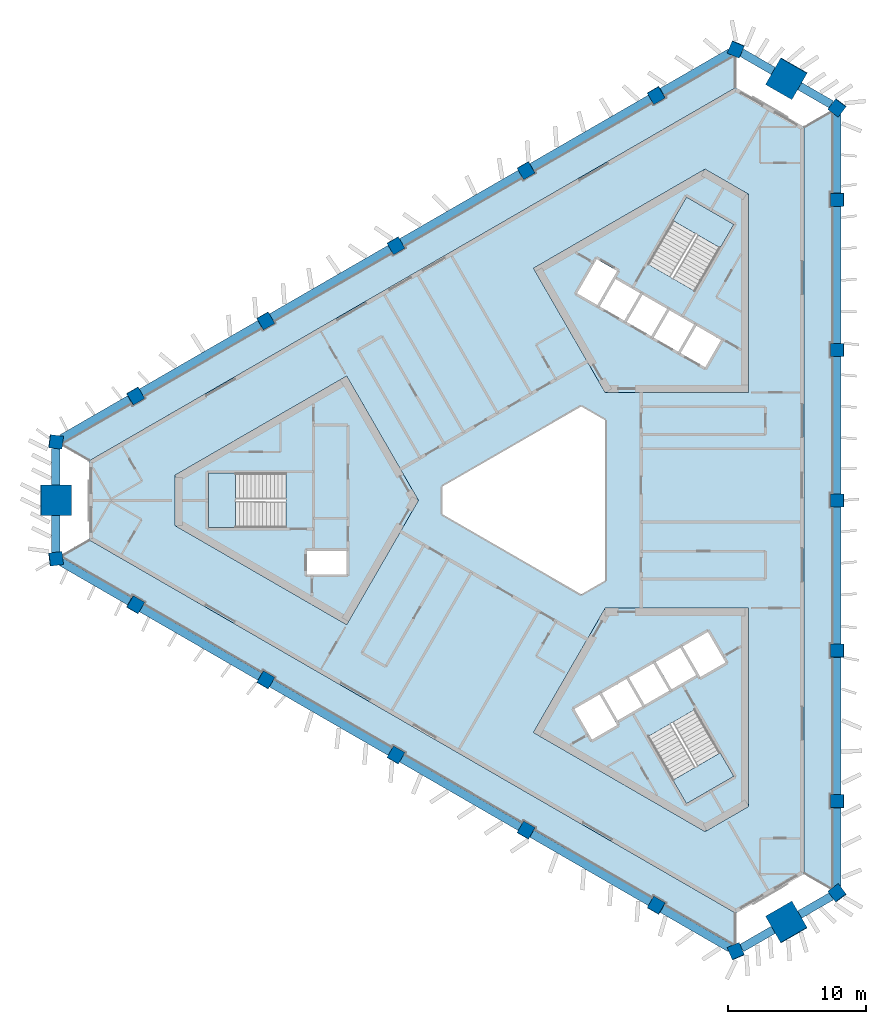
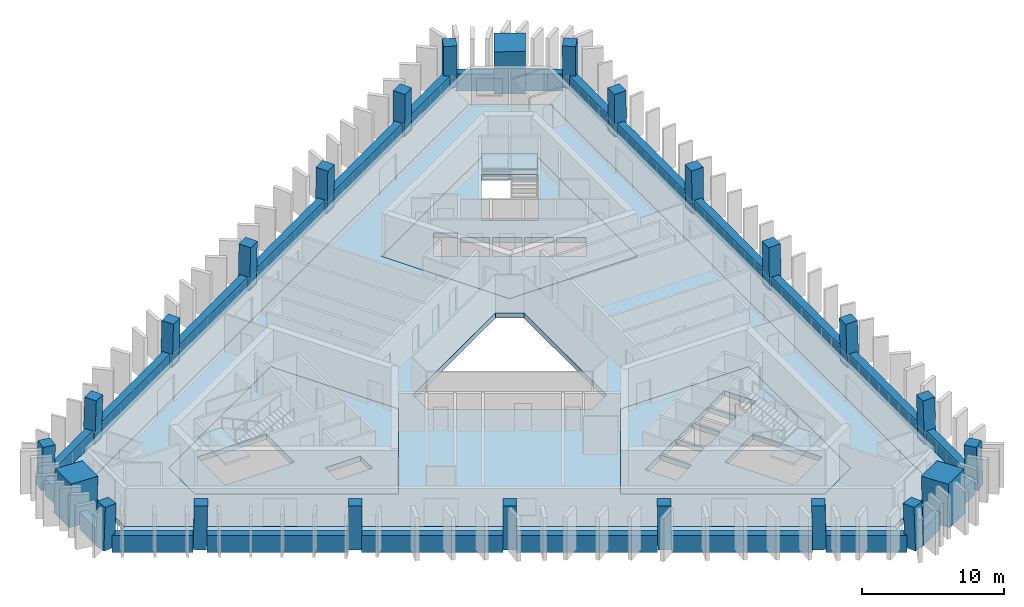
# One storey, part 1 of 10: 24 beams, 24 columns, 10 slabs, 3 elements without a shape of their own.
"""IFC4 building model written with IfcOpenShell, lengths in metres."""

from ifc_helpers import new_model, si_unit, direction, frame, origin, origin_2d, place, context, subcontext, project, spatial, polyline, rectangle, outline, extrude, material, layer, layer_set, material_profile, profile_set, type_object, element, aggregate, save


model = new_model("IFC4")

# Units and contexts
model_context = context("Model", 3, precision=1e-05, world=origin(), true_north=direction((0.0, 1.0)))
body_context = subcontext(model_context, "Body", "Model", "MODEL_VIEW")
ifc_project = project(units=[si_unit("LENGTHUNIT", "METRE"), si_unit("AREAUNIT", "SQUARE_METRE"), si_unit("VOLUMEUNIT", "CUBIC_METRE"), si_unit("PLANEANGLEUNIT", "RADIAN"), si_unit("MASSUNIT", "GRAM", prefix="KILO")], contexts=[model_context])

# Site, building, storey
site_placement = place(None, origin())
site = spatial("IfcSite", under=ifc_project, at=site_placement, CompositionType="ELEMENT")
building_placement = place(site_placement, origin())
building = spatial("IfcBuilding", under=site, at=building_placement, Name="Jabali Bay Hotel Tower and Convention Centre", CompositionType="ELEMENT")
storey_placement = place(building_placement, frame((0.0, 0.0, 167.39990234375)))
storey = spatial("IfcBuildingStorey", under=building, at=storey_placement, Name="L40", CompositionType="ELEMENT", Elevation=167.39990234375)

# Columns
ifc_material_1 = material(Name="Concrete C60", Category="concrete")
ifc_material_profile_1 = material_profile(ifc_material_1, rectangle(XDim=0.949951171875, YDim=0.949951171875, at=origin_2d()), Name="Frame column 950")
ifc_profile_set_1 = profile_set([ifc_material_profile_1], Name="Concrete C60")
column_type_1 = type_object("IfcColumnType", Name="Frame column 950", PredefinedType="COLUMN", material=ifc_profile_set_1)
column_1_placement = place(storey_placement, frame((83.197509765625, 109.30029296875, 0.0), z_axis=(-0.008375917711, -0.028095597993, 0.999570148302), x_axis=(0.86617295673, 0.49929055592, 0.021292012558)))
element("IfcColumn", 1, at=column_1_placement, inside=storey, type_object=column_type_1, Name="FC4 F1.1 L40", PredefinedType="COLUMN", context=body_context, shape_type="SweptSolid", body=[
    extrude(rectangle(XDim=0.949951171875, YDim=0.949951171875, at=origin_2d()), origin(), (0.0, 0.0, 1.0), 3.701904296875),
])
column_2_placement = place(storey_placement, frame((73.77978515625, 103.863037109375, 0.0), z_axis=(0.000857522362, -0.02282328747, 0.99973914708), x_axis=(0.866054076292, 0.499836503253, 0.010668034253)))
element("IfcColumn", 2, at=column_2_placement, inside=storey, type_object=column_type_1, Name="FC4 F1.2 L40", PredefinedType="COLUMN", context=body_context, shape_type="SweptSolid", body=[
    extrude(rectangle(XDim=0.949951171875, YDim=0.949951171875, at=origin_2d()), origin(), (0.0, 0.0, 1.0), 3.701171875),
])
column_3_placement = place(storey_placement, frame((64.362060546875, 98.425537109375, 0.0), z_axis=(0.010092954999, -0.017481261926, 0.999796248113), x_axis=(-0.499902903628, 0.86584618997, 0.020185694418)))
element("IfcColumn", 3, at=column_3_placement, inside=storey, type_object=column_type_1, Name="FC4 F1.3 L40", PredefinedType="COLUMN", context=body_context, shape_type="SweptSolid", body=[
    extrude(rectangle(XDim=0.949951171875, YDim=0.949951171875, at=origin_2d()), origin(), (0.0, 0.0, 1.0), 3.700927734375),
])
column_4_placement = place(storey_placement, frame((54.944091796875, 92.98828125, 0.0), z_axis=(0.019327242333, -0.012137244332, 0.999739538582), x_axis=(-0.500208874039, 0.865669601935, 0.020179757644)))
element("IfcColumn", 4, at=column_4_placement, inside=storey, type_object=column_type_1, Name="FC4 F1.4 L40", PredefinedType="COLUMN", context=body_context, shape_type="SweptSolid", body=[
    extrude(rectangle(XDim=0.949951171875, YDim=0.949951171875, at=origin_2d()), origin(), (0.0, 0.0, 1.0), 3.701171875),
])
for number, where, z_axis, x_axis, name in (
    (5, (45.5263671875, 87.55078125, 0.0), (0.028557232129, -0.006793059837, 0.999569076568), (-0.500407681469, 0.865554719029, 0.0201787188), "FC4 F1.5 L40"),
    (6, (45.5263671875, 72.44921875, 0.0), (0.028557232129, 0.006793059837, 0.999569076568), (-0.865318806464, 0.500768292431, 0.021318547709), "FC4 F2.1 L40"),
):
    element("IfcColumn", number, at=place(storey_placement, frame(where, z_axis=z_axis, x_axis=x_axis)), inside=storey, type_object=column_type_1, Name=name, PredefinedType="COLUMN", context=body_context, shape_type="SweptSolid", body=[
        extrude(rectangle(XDim=0.949951171875, YDim=0.949951171875, at=origin_2d()), origin(), (0.0, 0.0, 1.0), 3.701904296875),
    ])
column_5_placement = place(storey_placement, frame((54.944091796875, 67.01171875, 0.0), z_axis=(0.019327242333, 0.012137244332, 0.999739538582), x_axis=(-0.865689055052, 0.500468607992, 0.010659848856)))
element("IfcColumn", 7, at=column_5_placement, inside=storey, type_object=column_type_1, Name="FC4 F2.2 L40", PredefinedType="COLUMN", context=body_context, shape_type="SweptSolid", body=[
    extrude(rectangle(XDim=0.949951171875, YDim=0.949951171875, at=origin_2d()), origin(), (0.0, 0.0, 1.0), 3.701171875),
])
column_6_placement = place(storey_placement, frame((64.362060546875, 61.574462890625, 0.0), z_axis=(0.010092954999, 0.017481261926, 0.999796248113), x_axis=(-0.866022643586, 0.500004780773, 1.3035e-08)))
element("IfcColumn", 8, at=column_6_placement, inside=storey, type_object=column_type_1, Name="FC4 F2.3 L40", PredefinedType="COLUMN", context=body_context, shape_type="SweptSolid", body=[
    extrude(rectangle(XDim=0.949951171875, YDim=0.949951171875, at=origin_2d()), origin(), (0.0, 0.0, 1.0), 3.700927734375),
])
column_7_placement = place(storey_placement, frame((73.77978515625, 56.136962890625, 0.0), z_axis=(0.000857522362, 0.02282328747, 0.99973914708), x_axis=(-0.499949599054, -0.865819015479, 0.020194822126)))
element("IfcColumn", 9, at=column_7_placement, inside=storey, type_object=column_type_1, Name="FC4 F2.4 L40", PredefinedType="COLUMN", context=body_context, shape_type="SweptSolid", body=[
    extrude(rectangle(XDim=0.949951171875, YDim=0.949951171875, at=origin_2d()), origin(), (0.0, 0.0, 1.0), 3.701171875),
])
for number, where, z_axis, x_axis, name in (
    (10, (83.197509765625, 50.69970703125, 0.0), (-0.008375917711, 0.028095597993, 0.999570148302), (-0.499674146852, -0.865978970958, 0.020153630574), "FC4 F2.5 L40"),
    (11, (96.276123046875, 58.25048828125, 0.0), (-0.020181329236, 0.021302514194, 0.999569365697), (0.000228295571, -0.999772858975, 0.021311460273), "FC4 F0.1 L40"),
):
    element("IfcColumn", number, at=place(storey_placement, frame(where, z_axis=z_axis, x_axis=x_axis)), inside=storey, type_object=column_type_1, Name=name, PredefinedType="COLUMN", context=body_context, shape_type="SweptSolid", body=[
        extrude(rectangle(XDim=0.949951171875, YDim=0.949951171875, at=origin_2d()), origin(), (0.0, 0.0, 1.0), 3.701904296875),
    ])
column_8_placement = place(storey_placement, frame((96.276123046875, 69.125244140625, 0.0), z_axis=(-0.020184757346, 0.010686048007, 0.999739157955), x_axis=(-0.001012892672, -0.999942584695, 0.010667772075)))
element("IfcColumn", 12, at=column_8_placement, inside=storey, type_object=column_type_1, Name="FC4 F0.2 L40", PredefinedType="COLUMN", context=body_context, shape_type="SweptSolid", body=[
    extrude(rectangle(XDim=0.949951171875, YDim=0.949951171875, at=origin_2d()), origin(), (0.0, 0.0, 1.0), 3.701171875),
])
column_9_placement = place(storey_placement, frame((96.276123046875, 80.0, 0.0), z_axis=(-0.02018590991, 0.0, 0.999796243762), x_axis=(0.0, -1.0, 0.0)))
element("IfcColumn", 13, at=column_9_placement, inside=storey, type_object=column_type_1, Name="FC4 F0.3 L40", PredefinedType="COLUMN", context=body_context, shape_type="SweptSolid", body=[
    extrude(rectangle(XDim=0.949951171875, YDim=0.949951171875, at=origin_2d()), origin(), (0.0, 0.0, 1.0), 3.700927734375),
])
column_10_placement = place(storey_placement, frame((96.276123046875, 90.874755859375, 0.0), z_axis=(-0.020184757346, -0.010686048007, 0.999739157955), x_axis=(0.999795753951, 0.000797302076, 0.020194422252)))
element("IfcColumn", 14, at=column_10_placement, inside=storey, type_object=column_type_1, Name="FC4 F0.4 L40", PredefinedType="COLUMN", context=body_context, shape_type="SweptSolid", body=[
    extrude(rectangle(XDim=0.949951171875, YDim=0.949951171875, at=origin_2d()), origin(), (0.0, 0.0, 1.0), 3.701171875),
])
column_11_placement = place(storey_placement, frame((96.276123046875, 101.74951171875, 0.0), z_axis=(-0.020181329236, -0.021302514194, 0.999569365697), x_axis=(0.999796310171, -0.000658290855, 0.020171881959)))
element("IfcColumn", 15, at=column_11_placement, inside=storey, type_object=column_type_1, Name="FC4 F0.5 L40", PredefinedType="COLUMN", context=body_context, shape_type="SweptSolid", body=[
    extrude(rectangle(XDim=0.949951171875, YDim=0.949951171875, at=origin_2d()), origin(), (0.0, 0.0, 1.0), 3.701904296875),
])
for number, where, z_axis, x_axis, name in (
    (16, (96.276123046875, 51.602783203125, 0.0), (-0.020177412175, 0.029013272408, 0.999375355941), (-0.800403082065, -0.599460892038, 0.001243035721), "FC4 V0 L40"),
    (17, (96.276123046875, 108.397216796875, 0.0), (-0.020177412175, -0.029013272408, 0.999375355941), (0.599122506887, 0.799878033791, 0.035317882157), "FC4 V1 L40"),
    (18, (88.95458984375, 112.624267578125, 0.0), (-0.01503415113, -0.031980540781, 0.999375414602), (0.919381445367, -0.393365241483, 0.001242862723), "FC4 V2 L40"),
    (19, (39.769287109375, 84.22705078125, 0.0), (0.035211566633, -0.002967266851, 0.999375475436), (-0.992275672235, 0.118919620928, 0.035314501974), "FC4 V3 L40"),
    (20, (39.769287109375, 75.77294921875, 0.0), (0.035211566633, 0.002967266851, 0.999375475436), (-0.118950140254, 0.992899450642, 0.001242999447), "FC4 V4 L40"),
    (21, (88.95458984375, 47.375732421875, 0.0), (-0.01503415113, 0.031980540781, 0.999375414602), (0.393079803875, -0.918825898527, 0.035316228297), "FC4 V5 L40"),
):
    element("IfcColumn", number, at=place(storey_placement, frame(where, z_axis=z_axis, x_axis=x_axis)), inside=storey, type_object=column_type_1, Name=name, PredefinedType="COLUMN", context=body_context, shape_type="SweptSolid", body=[
        extrude(rectangle(XDim=0.949951171875, YDim=0.949951171875, at=origin_2d()), origin(), (0.0, 0.0, 1.0), 3.702392578125),
    ])
ifc_material_2 = material(Name="Concrete C70", Category="concrete")
ifc_material_profile_2 = material_profile(ifc_material_2, rectangle(XDim=2.199951171875, YDim=2.199951171875, at=origin_2d()), Name="Mega column 2200")
ifc_profile_set_2 = profile_set([ifc_material_profile_2], Name="Concrete C70")
column_type_2 = type_object("IfcColumnType", Name="Mega column 2200", PredefinedType="COLUMN", material=ifc_profile_set_2)
for number, where, z_axis, x_axis, name in (
    (22, (92.615234375, 110.5107421875, 0.0), (-0.017539922452, -0.030530015395, 0.999379942404), (0.867088366176, -0.498154358851, 2.458e-09), "MC4 M1 L40"),
    (23, (39.769287109375, 80.0, 0.0), (0.035211721647, 0.0, 0.999379875052), (0.0, 1.0, 0.0), "MC4 M0 L40"),
    (24, (92.615234375, 49.4892578125, 0.0), (-0.017539922452, 0.030530015395, 0.999379942404), (0.497845474382, -0.866550721492, 0.035209809992), "MC4 M2 L40"),
):
    element("IfcColumn", number, at=place(storey_placement, frame(where, z_axis=z_axis, x_axis=x_axis)), inside=storey, type_object=column_type_2, Name=name, PredefinedType="COLUMN", context=body_context, shape_type="SweptSolid", body=[
        extrude(rectangle(XDim=2.199951171875, YDim=2.199951171875, at=origin_2d()), origin(), (0.0, 0.0, 1.0), 3.702392578125),
    ])

# Beams
ifc_material_profile_3 = material_profile(ifc_material_1, rectangle(XDim=0.60009765625, YDim=1.449951171875, at=origin_2d()), Name="Spandrel 600x1450")
ifc_profile_set_3 = profile_set([ifc_material_profile_3], Name="Concrete C60")
beam_type = type_object("IfcBeamType", Name="Spandrel 600x1450", PredefinedType="SPANDREL", material=ifc_profile_set_3)
beam_1_placement = place(storey_placement, frame((91.656005859375, 111.04931640625, 0.375), z_axis=(-0.866018407898, 0.500012117035, 0.0), x_axis=(-0.500012117035, -0.866018407898, 0.0)))
element("IfcBeam", 25, at=beam_1_placement, inside=storey, type_object=beam_type, Name="Spandrel M1-V2 L40", PredefinedType="SPANDREL", context=body_context, shape_type="SweptSolid", body=[
    extrude(rectangle(XDim=0.60009765625, YDim=1.449951171875, at=origin_2d()), origin(), (0.0, 0.0, 1.0), 2.65087890625),
])
beam_2_placement = place(storey_placement, frame((88.53759765625, 112.374755859375, 0.375), z_axis=(-0.866026383709, -0.499998302717, 0.0), x_axis=(0.499998302717, -0.866026383709, 0.0)))
element("IfcBeam", 26, at=beam_2_placement, inside=storey, type_object=beam_type, Name="Spandrel V2-F1.1 L40", PredefinedType="SPANDREL", context=body_context, shape_type="SweptSolid", body=[
    extrude(rectangle(XDim=0.60009765625, YDim=1.449951171875, at=origin_2d()), origin(), (0.0, 0.0, 1.0), 5.69482421875),
])
for number, where, z_axis, x_axis, name in (
    (27, (82.782958984375, 109.05224609375, 0.375), (-0.866020430798, -0.500008613366, 0.0), (0.500008613366, -0.866020430798, 0.0), "Spandrel F1.1-F1.2 L40"),
    (28, (73.36865234375, 103.616943359375, 0.375), (-0.866020430798, -0.500008613366, 0.0), (0.500008613366, -0.866020430798, 0.0), "Spandrel F1.2-F1.3 L40"),
    (29, (63.954345703125, 98.181640625, 0.375), (-0.866020430798, -0.500008613366, 0.0), (0.500008613366, -0.866020430798, 0.0), "Spandrel F1.3-F1.4 L40"),
    (30, (54.5400390625, 92.74609375, 0.375), (-0.866031086928, -0.499990156378, 0.0), (0.499990156378, -0.866031086928, 0.0), "Spandrel F1.4-F1.5 L40"),
):
    element("IfcBeam", number, at=place(storey_placement, frame(where, z_axis=z_axis, x_axis=x_axis)), inside=storey, type_object=beam_type, Name=name, PredefinedType="SPANDREL", context=body_context, shape_type="SweptSolid", body=[
        extrude(rectangle(XDim=0.60009765625, YDim=1.449951171875, at=origin_2d()), origin(), (0.0, 0.0, 1.0), 9.920654296875),
    ])
beam_3_placement = place(storey_placement, frame((45.125732421875, 87.310791015625, 0.375), z_axis=(-0.866026383709, -0.499998302717, 0.0), x_axis=(0.499998302717, -0.866026383709, 0.0)))
element("IfcBeam", 31, at=beam_3_placement, inside=storey, type_object=beam_type, Name="Spandrel F1.5-V3 L40", PredefinedType="SPANDREL", context=body_context, shape_type="SweptSolid", body=[
    extrude(rectangle(XDim=0.60009765625, YDim=1.449951171875, at=origin_2d()), origin(), (0.0, 0.0, 1.0), 5.69482421875),
])
for number, where, z_axis, x_axis, name in (
    (32, (39.782470703125, 83.7509765625, 0.375), (0.0, -1.0, 0.0), (1.0, 0.0, 0.0), "Spandrel V3-M0 L40"),
    (33, (39.782470703125, 78.89990234375, 0.375), (0.0, -1.0, 0.0), (1.0, 0.0, 0.0), "Spandrel M0-V4 L40"),
):
    element("IfcBeam", number, at=place(storey_placement, frame(where, z_axis=z_axis, x_axis=x_axis)), inside=storey, type_object=beam_type, Name=name, PredefinedType="SPANDREL", context=body_context, shape_type="SweptSolid", body=[
        extrude(rectangle(XDim=0.60009765625, YDim=1.449951171875, at=origin_2d()), origin(), (0.0, 0.0, 1.0), 2.65087890625),
    ])
beam_4_placement = place(storey_placement, frame((40.19384765625, 75.53662109375, 0.375), z_axis=(0.866026383709, -0.499998302717, 0.0), x_axis=(0.499998302717, 0.866026383709, 0.0)))
element("IfcBeam", 34, at=beam_4_placement, inside=storey, type_object=beam_type, Name="Spandrel V4-F2.1 L40", PredefinedType="SPANDREL", context=body_context, shape_type="SweptSolid", body=[
    extrude(rectangle(XDim=0.60009765625, YDim=1.449951171875, at=origin_2d()), origin(), (0.0, 0.0, 1.0), 5.69482421875),
])
for number, where, z_axis, x_axis, name in (
    (35, (45.948486328125, 72.214111328125, 0.375), (0.866031086928, -0.499990156378, 0.0), (0.499990156378, 0.866031086928, 0.0), "Spandrel F2.1-F2.2 L40"),
    (36, (55.36279296875, 66.77880859375, 0.375), (0.866020430798, -0.500008613366, 0.0), (0.500008613366, 0.866020430798, 0.0), "Spandrel F2.2-F2.3 L40"),
    (37, (64.777099609375, 61.343505859375, 0.375), (0.866020430798, -0.500008613366, 0.0), (0.500008613366, 0.866020430798, 0.0), "Spandrel F2.3-F2.4 L40"),
    (38, (74.19140625, 55.908203125, 0.375), (0.866020430798, -0.500008613366, 0.0), (0.500008613366, 0.866020430798, 0.0), "Spandrel F2.4-F2.5 L40"),
):
    element("IfcBeam", number, at=place(storey_placement, frame(where, z_axis=z_axis, x_axis=x_axis)), inside=storey, type_object=beam_type, Name=name, PredefinedType="SPANDREL", context=body_context, shape_type="SweptSolid", body=[
        extrude(rectangle(XDim=0.60009765625, YDim=1.449951171875, at=origin_2d()), origin(), (0.0, 0.0, 1.0), 9.920654296875),
    ])
beam_5_placement = place(storey_placement, frame((83.605712890625, 50.47265625, 0.375), z_axis=(0.866026383709, -0.499998302717, 0.0), x_axis=(0.499998302717, 0.866026383709, 0.0)))
element("IfcBeam", 39, at=beam_5_placement, inside=storey, type_object=beam_type, Name="Spandrel F2.5-V5 L40", PredefinedType="SPANDREL", context=body_context, shape_type="SweptSolid", body=[
    extrude(rectangle(XDim=0.60009765625, YDim=1.449951171875, at=origin_2d()), origin(), (0.0, 0.0, 1.0), 5.69482421875),
])
beam_6_placement = place(storey_placement, frame((89.3603515625, 47.625244140625, 0.375), z_axis=(0.866018407898, 0.500012117035, 0.0), x_axis=(-0.500012117035, 0.866018407898, 0.0)))
element("IfcBeam", 40, at=beam_6_placement, inside=storey, type_object=beam_type, Name="Spandrel V5-M2 L40", PredefinedType="SPANDREL", context=body_context, shape_type="SweptSolid", body=[
    extrude(rectangle(XDim=0.60009765625, YDim=1.449951171875, at=origin_2d()), origin(), (0.0, 0.0, 1.0), 2.65087890625),
])
beam_7_placement = place(storey_placement, frame((93.561279296875, 50.05078125, 0.375), z_axis=(0.866041431316, 0.499972238474, 0.0), x_axis=(-0.499972238474, 0.866041431316, 0.0)))
element("IfcBeam", 41, at=beam_7_placement, inside=storey, type_object=beam_type, Name="Spandrel M2-V0 L40", PredefinedType="SPANDREL", context=body_context, shape_type="SweptSolid", body=[
    extrude(rectangle(XDim=0.60009765625, YDim=1.449951171875, at=origin_2d()), origin(), (0.0, 0.0, 1.0), 2.651123046875),
])
beam_8_placement = place(storey_placement, frame((96.2685546875, 52.088623046875, 0.375), z_axis=(0.0, 1.0, 0.0), x_axis=(-1.0, 0.0, 0.0)))
element("IfcBeam", 42, at=beam_8_placement, inside=storey, type_object=beam_type, Name="Spandrel V0-F0.1 L40", PredefinedType="SPANDREL", context=body_context, shape_type="SweptSolid", body=[
    extrude(rectangle(XDim=0.60009765625, YDim=1.449951171875, at=origin_2d()), origin(), (0.0, 0.0, 1.0), 5.69482421875),
])
for number, where, z_axis, x_axis, name in (
    (43, (96.2685546875, 58.733642578125, 0.375), (0.0, 1.0, 0.0), (-1.0, 0.0, 0.0), "Spandrel F0.1-F0.2 L40"),
    (44, (96.2685546875, 69.604248046875, 0.375), (0.0, 1.0, 0.0), (-1.0, 0.0, 0.0), "Spandrel F0.2-F0.3 L40"),
    (45, (96.2685546875, 80.47509765625, 0.375), (0.0, 1.0, 0.0), (-1.0, 0.0, 0.0), "Spandrel F0.3-F0.4 L40"),
    (46, (96.2685546875, 91.345703125, 0.375), (0.0, 1.0, 0.0), (-1.0, 0.0, 0.0), "Spandrel F0.4-F0.5 L40"),
):
    element("IfcBeam", number, at=place(storey_placement, frame(where, z_axis=z_axis, x_axis=x_axis)), inside=storey, type_object=beam_type, Name=name, PredefinedType="SPANDREL", context=body_context, shape_type="SweptSolid", body=[
        extrude(rectangle(XDim=0.60009765625, YDim=1.449951171875, at=origin_2d()), origin(), (0.0, 0.0, 1.0), 9.920654296875),
    ])
beam_9_placement = place(storey_placement, frame((96.2685546875, 102.216552734375, 0.375), z_axis=(0.0, 1.0, 0.0), x_axis=(-1.0, 0.0, 0.0)))
element("IfcBeam", 47, at=beam_9_placement, inside=storey, type_object=beam_type, Name="Spandrel F0.5-V1 L40", PredefinedType="SPANDREL", context=body_context, shape_type="SweptSolid", body=[
    extrude(rectangle(XDim=0.60009765625, YDim=1.449951171875, at=origin_2d()), origin(), (0.0, 0.0, 1.0), 5.69482421875),
])
beam_10_placement = place(storey_placement, frame((95.857177734375, 108.623779296875, 0.375), z_axis=(-0.866041431316, 0.499972238474, 0.0), x_axis=(-0.499972238474, -0.866041431316, 0.0)))
element("IfcBeam", 48, at=beam_10_placement, inside=storey, type_object=beam_type, Name="Spandrel V1-M1 L40", PredefinedType="SPANDREL", context=body_context, shape_type="SweptSolid", body=[
    extrude(rectangle(XDim=0.60009765625, YDim=1.449951171875, at=origin_2d()), origin(), (0.0, 0.0, 1.0), 2.651123046875),
])

# Slabs
ifc_material_3 = material(Name="Concrete C40", Category="concrete")
ifc_layer_1 = layer(ifc_material_3, 0.449951171875)
ifc_layer_set_1 = layer_set([ifc_layer_1], Name="Concrete C40")
slab_type_1 = type_object("IfcSlabType", Name="Core floor slab 450", PredefinedType="FLOOR", material=ifc_layer_set_1)
slab_1_placement = place(storey_placement, frame((0.0, 0.0, -0.449951171875)))
element("IfcSlab", 49, at=slab_1_placement, inside=storey, type_object=slab_type_1, Name="Core floor slab 1 L40", PredefinedType="FLOOR", context=body_context, shape_type="SweptSolid", body=[
    extrude(outline(polyline([(66.0, 80.0), (60.81005859375, 88.9892578125), (48.39697265625, 81.82275390625), (48.39697265625, 78.17724609375), (60.81005859375, 71.0107421875), (66.0, 80.0)]), holes=[polyline([(60.800048828125, 76.35009765625), (57.949951171875, 76.35009765625), (57.949951171875, 74.64990234375), (60.800048828125, 74.64990234375), (60.800048828125, 76.35009765625)]), polyline([(50.820068359375, 81.97509765625), (50.820068359375, 78.02490234375), (56.409912109375, 78.02490234375), (56.409912109375, 81.97509765625), (50.820068359375, 81.97509765625)])]), origin(), (0.0, 0.0, 1.0), 0.449951171875),
])
slab_2_placement = place(storey_placement, frame((0.0, 0.0, -0.449951171875)))
element("IfcSlab", 50, at=slab_2_placement, inside=storey, type_object=slab_type_1, Name="Core floor slab 2 L40", PredefinedType="FLOOR", context=body_context, shape_type="SweptSolid", body=[
    extrude(outline(polyline([(79.5, 87.794189453125), (89.8798828125, 87.794189453125), (89.8798828125, 102.127685546875), (86.72314453125, 103.9501953125), (74.31005859375, 96.78369140625), (79.5, 87.794189453125)]), holes=[polyline([(84.957763671875, 90.6474609375), (86.733154296875, 89.62255859375), (87.873291015625, 91.59716796875), (86.097900390625, 92.6220703125), (84.957763671875, 90.6474609375)]), polyline([(84.1494140625, 93.7470703125), (83.00927734375, 91.7724609375), (84.78466796875, 90.74755859375), (85.924560546875, 92.72216796875), (84.1494140625, 93.7470703125)]), polyline([(82.20068359375, 94.8720703125), (81.060791015625, 92.8974609375), (82.836181640625, 91.87255859375), (83.97607421875, 93.84716796875), (82.20068359375, 94.8720703125)]), polyline([(79.1123046875, 94.0224609375), (80.887451171875, 92.99755859375), (82.027587890625, 94.97216796875), (80.252197265625, 95.9970703125), (79.1123046875, 94.0224609375)]), polyline([(78.891845703125, 97.440673828125), (77.466796875, 94.97265625), (78.93896484375, 94.12255859375), (80.364013671875, 96.5908203125), (78.891845703125, 97.440673828125)]), polyline([(82.584716796875, 97.0869140625), (86.00537109375, 95.11181640625), (88.80029296875, 99.952880859375), (85.379638671875, 101.927978515625), (82.584716796875, 97.0869140625)])]), origin(), (0.0, 0.0, 1.0), 0.449951171875),
])
slab_3_placement = place(storey_placement, frame((0.0, 0.0, -0.449951171875)))
element("IfcSlab", 51, at=slab_3_placement, inside=storey, type_object=slab_type_1, Name="Core floor slab 3 L40", PredefinedType="FLOOR", context=body_context, shape_type="SweptSolid", body=[
    extrude(outline(polyline([(79.5, 72.205810546875), (74.31005859375, 63.21630859375), (86.72314453125, 56.0498046875), (89.8798828125, 57.872314453125), (89.8798828125, 72.205810546875), (79.5, 72.205810546875)]), holes=[polyline([(82.584716796875, 62.9130859375), (85.379638671875, 58.072021484375), (88.80029296875, 60.047119140625), (86.00537109375, 64.88818359375), (82.584716796875, 62.9130859375)]), polyline([(80.365478515625, 63.756591796875), (79.090576171875, 65.96484375), (77.27197265625, 64.9150390625), (78.546875, 62.70654296875), (80.365478515625, 63.756591796875)]), polyline([(82.17919921875, 65.115478515625), (81.0390625, 67.08984375), (79.263671875, 66.06494140625), (80.40380859375, 64.09033203125), (82.17919921875, 65.115478515625)]), polyline([(82.98779296875, 68.21484375), (81.21240234375, 67.18994140625), (82.352294921875, 65.21533203125), (84.127685546875, 66.240478515625), (82.98779296875, 68.21484375)]), polyline([(86.076171875, 67.365478515625), (84.936279296875, 69.33984375), (83.160888671875, 68.31494140625), (84.30078125, 66.34033203125), (86.076171875, 67.365478515625)]), polyline([(88.203125, 68.281494140625), (86.927978515625, 70.489990234375), (85.109375, 69.43994140625), (86.384521484375, 67.231689453125), (88.203125, 68.281494140625)])]), origin(), (0.0, 0.0, 1.0), 0.449951171875),
])
ifc_layer_2 = layer(ifc_material_3, 0.199951171875)
ifc_layer_set_2 = layer_set([ifc_layer_2], Name="Concrete C40")
slab_type_2 = type_object("IfcSlabType", Name="Loggia slab 200", PredefinedType="FLOOR", material=ifc_layer_set_2)
slab_4_placement = place(storey_placement, frame((0.0, 0.0, -0.199951171875)))
element("IfcSlab", 52, at=slab_4_placement, inside=storey, type_object=slab_type_2, Name="Loggia slab east face L40", PredefinedType="FLOOR", context=body_context, shape_type="SweptSolid", body=[
    extrude(outline(polyline([(93.8759765625, 107.011474609375), (95.82861328125, 108.138916015625), (95.97607421875, 108.0283203125), (95.97607421875, 102.224365234375), (95.801025390625, 102.224365234375), (95.801025390625, 101.2744140625), (95.97607421875, 101.2744140625), (95.97607421875, 91.349609375), (95.801025390625, 91.349609375), (95.801025390625, 90.399658203125), (95.97607421875, 90.399658203125), (95.97607421875, 80.47509765625), (95.801025390625, 80.47509765625), (95.801025390625, 79.52490234375), (95.97607421875, 79.52490234375), (95.97607421875, 69.600341796875), (95.801025390625, 69.600341796875), (95.801025390625, 68.650390625), (95.97607421875, 68.650390625), (95.97607421875, 58.7255859375), (95.801025390625, 58.7255859375), (95.801025390625, 57.775634765625), (95.97607421875, 57.775634765625), (95.97607421875, 51.9716796875), (95.82861328125, 51.861083984375), (93.8759765625, 52.988525390625), (93.8759765625, 107.011474609375)])), origin(), (0.0, 0.0, 1.0), 0.199951171875),
])
slab_5_placement = place(storey_placement, frame((0.0, 0.0, -0.199951171875)))
element("IfcSlab", 53, at=slab_5_placement, inside=storey, type_object=slab_type_2, Name="Loggia slab north-west face L40", PredefinedType="FLOOR", context=body_context, shape_type="SweptSolid", body=[
    extrude(outline(polyline([(42.169189453125, 82.84130859375), (40.216796875, 83.96875), (40.23876953125, 84.151611328125), (45.26513671875, 87.053466796875), (45.3525390625, 86.902099609375), (46.17529296875, 87.376953125), (46.087646484375, 87.528564453125), (54.682861328125, 92.490966796875), (54.770263671875, 92.33935546875), (55.593017578125, 92.814453125), (55.505615234375, 92.9658203125), (64.1005859375, 97.92822265625), (64.188232421875, 97.776611328125), (65.0107421875, 98.251708984375), (64.92333984375, 98.4033203125), (73.518310546875, 103.36572265625), (73.60595703125, 103.214111328125), (74.4287109375, 103.689208984375), (74.341064453125, 103.840576171875), (82.936279296875, 108.802978515625), (83.023681640625, 108.6513671875), (83.846435546875, 109.12646484375), (83.759033203125, 109.278076171875), (88.785400390625, 112.179931640625), (88.95458984375, 112.107666015625), (88.95458984375, 109.852783203125), (42.169189453125, 82.84130859375)])), origin(), (0.0, 0.0, 1.0), 0.199951171875),
])
slab_6_placement = place(storey_placement, frame((0.0, 0.0, -0.199951171875)))
element("IfcSlab", 54, at=slab_6_placement, inside=storey, type_object=slab_type_2, Name="Loggia slab south-west face L40", PredefinedType="FLOOR", context=body_context, shape_type="SweptSolid", body=[
    extrude(outline(polyline([(88.95458984375, 50.147216796875), (88.95458984375, 47.892333984375), (88.785400390625, 47.820068359375), (83.759033203125, 50.721923828125), (83.846435546875, 50.87353515625), (83.023681640625, 51.3486328125), (82.936279296875, 51.197021484375), (74.341064453125, 56.159423828125), (74.4287109375, 56.310791015625), (73.60595703125, 56.785888671875), (73.518310546875, 56.63427734375), (64.92333984375, 61.5966796875), (65.0107421875, 61.748291015625), (64.188232421875, 62.223388671875), (64.1005859375, 62.07177734375), (55.505615234375, 67.0341796875), (55.593017578125, 67.185546875), (54.770263671875, 67.66064453125), (54.682861328125, 67.509033203125), (46.087646484375, 72.471435546875), (46.17529296875, 72.623046875), (45.3525390625, 73.097900390625), (45.26513671875, 72.946533203125), (40.23876953125, 75.848388671875), (40.216796875, 76.03125), (42.169189453125, 77.15869140625), (88.95458984375, 50.147216796875)])), origin(), (0.0, 0.0, 1.0), 0.199951171875),
])
ifc_layer_3 = layer(ifc_material_3, 0.449951171875)
ifc_layer_set_3 = layer_set([ifc_layer_3], Name="Concrete C40")
slab_type_3 = type_object("IfcSlabType", Name="Post-tensioned flat slab 450", PredefinedType="FLOOR", material=ifc_layer_set_3)
slab_7_placement = place(storey_placement, frame((0.0, 0.0, -0.449951171875)))
element("IfcSlab", 55, at=slab_7_placement, inside=storey, type_object=slab_type_3, Name="Floor slab L40", PredefinedType="FLOOR", context=body_context, shape_type="SweptSolid", body=[
    extrude(outline(polyline([(88.95458984375, 109.852783203125), (93.8759765625, 107.011474609375), (93.8759765625, 52.988525390625), (88.95458984375, 50.147216796875), (42.169189453125, 77.15869140625), (42.169189453125, 82.84130859375), (88.95458984375, 109.852783203125)]), holes=[polyline([(67.73193359375, 79.0), (77.76806640625, 73.205810546875), (79.5, 74.205810546875), (79.5, 85.794189453125), (77.76806640625, 86.794189453125), (67.73193359375, 81.0), (67.73193359375, 79.0)]), polyline([(48.39697265625, 78.17724609375), (60.81005859375, 71.0107421875), (66.0, 80.0), (60.81005859375, 88.9892578125), (48.39697265625, 81.82275390625), (48.39697265625, 78.17724609375)]), polyline([(89.8798828125, 102.127685546875), (86.72314453125, 103.9501953125), (74.31005859375, 96.78369140625), (79.5, 87.794189453125), (89.8798828125, 87.794189453125), (89.8798828125, 102.127685546875)]), polyline([(74.31005859375, 63.21630859375), (86.72314453125, 56.0498046875), (89.8798828125, 57.872314453125), (89.8798828125, 72.205810546875), (79.5, 72.205810546875), (74.31005859375, 63.21630859375)])]), origin(), (0.0, 0.0, 1.0), 0.449951171875),
])

# Stair, slab
stair_type = type_object("IfcStairType", Name="Exit stair 1900", PredefinedType="HALF_TURN_STAIR", material=ifc_material_3)
stair_1_placement = place(storey_placement, origin())
stair_1 = element("IfcStair", 56, at=stair_1_placement, inside=storey, type_object=stair_type, Name="L40 Exit Stair 1", PredefinedType="HALF_TURN_STAIR")
ifc_layer_4 = layer(ifc_material_3, 0.199951171875)
ifc_layer_set_4 = layer_set([ifc_layer_4], Name="Concrete C40")
slab_type_4 = type_object("IfcSlabType", Name="Stair landing 200", PredefinedType="LANDING", material=ifc_layer_set_4)
slab_8_placement = place(storey_placement, frame((0.0, 0.0, 1.650146484375)))
slab_8 = element("IfcSlab", 57, at=slab_8_placement, type_object=slab_type_4, Name="ST1 landing 1", PredefinedType="LANDING", context=body_context, shape_type="SweptSolid", body=[
    extrude(outline(polyline([(52.782958984375, 81.97509765625), (50.820068359375, 81.97509765625), (50.820068359375, 78.02490234375), (52.782958984375, 78.02490234375), (52.782958984375, 81.97509765625)])), origin(), (0.0, 0.0, 1.0), 0.199951171875),
])
aggregate(stair_1, [slab_8])

stair_2_placement = place(storey_placement, origin())
stair_2 = element("IfcStair", 58, at=stair_2_placement, inside=storey, type_object=stair_type, Name="L40 Exit Stair 2", PredefinedType="HALF_TURN_STAIR")
slab_9_placement = place(storey_placement, frame((0.0, 0.0, 1.650146484375)))
slab_9 = element("IfcSlab", 59, at=slab_9_placement, type_object=slab_type_4, Name="ST2 landing 1", PredefinedType="LANDING", context=body_context, shape_type="SweptSolid", body=[
    extrude(outline(polyline([(87.81884765625, 98.2529296875), (88.80029296875, 99.952880859375), (85.379638671875, 101.927978515625), (84.398193359375, 100.22802734375), (87.81884765625, 98.2529296875)])), origin(), (0.0, 0.0, 1.0), 0.199951171875),
])
aggregate(stair_2, [slab_9])

stair_3_placement = place(storey_placement, origin())
stair_3 = element("IfcStair", 60, at=stair_3_placement, inside=storey, type_object=stair_type, Name="L40 Exit Stair 3", PredefinedType="HALF_TURN_STAIR")
slab_10_placement = place(storey_placement, frame((0.0, 0.0, 1.650146484375)))
slab_10 = element("IfcSlab", 61, at=slab_10_placement, type_object=slab_type_4, Name="ST3 landing 1", PredefinedType="LANDING", context=body_context, shape_type="SweptSolid", body=[
    extrude(outline(polyline([(84.398193359375, 59.77197265625), (85.379638671875, 58.072021484375), (88.80029296875, 60.047119140625), (87.81884765625, 61.7470703125), (84.398193359375, 59.77197265625)])), origin(), (0.0, 0.0, 1.0), 0.199951171875),
])
aggregate(stair_3, [slab_10])

save(model, "model.ifc")
